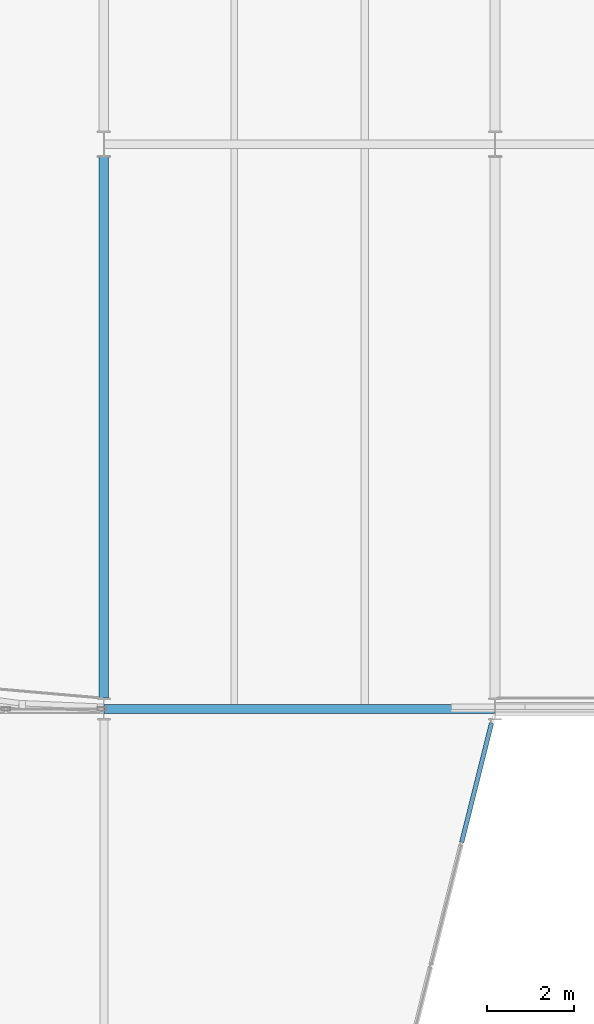
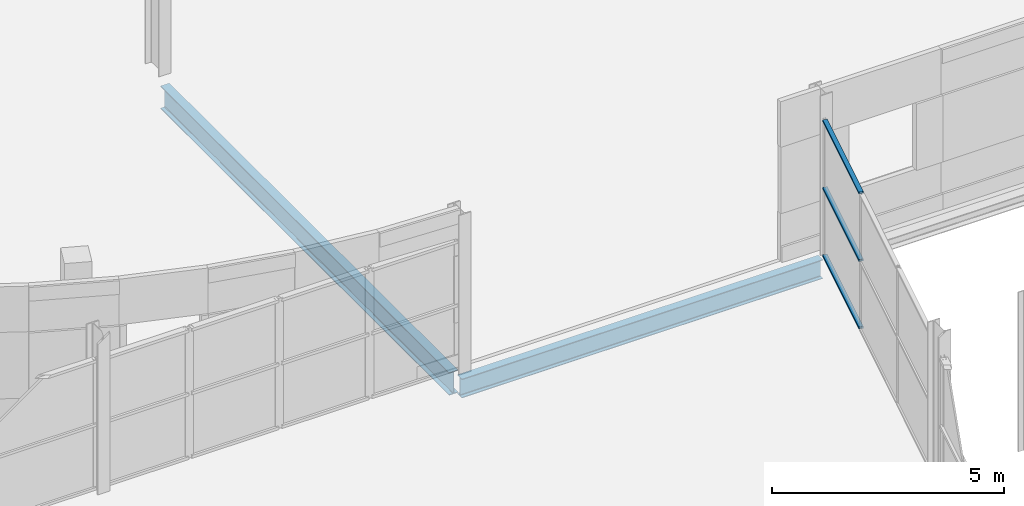
# One storey, part 69 of 135: 3 members, 2 beams, 1 element without a shape of its own.
"""IFC4 building model written with IfcOpenShell, lengths in metres."""

from ifc_helpers import new_model, si_unit, direction, frame, origin, origin_2d, place, context, subcontext, project, spatial, hollow_rectangle, i_section, extrude, material, layer, layer_set, material_profile, profile_set, type_object, element, aggregate, save


model = new_model("IFC4")

# Units and contexts
model_context = context("Model", 3, precision=1e-05, world=origin(), true_north=direction((0.0, 1.0)))
body_context = subcontext(model_context, "Body", "Model", "MODEL_VIEW")
ifc_project = project(units=[si_unit("LENGTHUNIT", "METRE"), si_unit("AREAUNIT", "SQUARE_METRE"), si_unit("VOLUMEUNIT", "CUBIC_METRE"), si_unit("PLANEANGLEUNIT", "RADIAN"), si_unit("MASSUNIT", "GRAM", prefix="KILO")], contexts=[model_context])

# Site, building, storey
site_placement = place(None, origin())
site = spatial("IfcSite", under=ifc_project, at=site_placement, CompositionType="ELEMENT")
building_placement = place(site_placement, origin())
building = spatial("IfcBuilding", under=site, at=building_placement, Name="Deido Ridge Mobility Hub", CompositionType="ELEMENT")
storey_placement = place(building_placement, frame((0.0, 0.0, 4.199951171875)))
storey = spatial("IfcBuildingStorey", under=building, at=storey_placement, Name="L01", CompositionType="ELEMENT", Elevation=4.199951171875)

# Beams
ifc_material_1 = material(Name="Steel S355J2 EN 10025-2", Category="steel")
ifc_material_profile_1 = material_profile(ifc_material_1, i_section(OverallWidth=0.199951171875, OverallDepth=0.5, WebThickness=0.01025390625, FlangeThickness=0.01611328125, FilletRadius=0.02099609375, at=origin_2d()), Name="IPE 500")
ifc_profile_set_1 = profile_set([ifc_material_profile_1], Name="Steel S355J2 EN 10025-2")
beam_type_1 = type_object("IfcBeamType", Name="BM-IPE500", PredefinedType="BEAM", material=ifc_profile_set_1)
beam_1_placement = place(storey_placement, frame((45.007080078125, 81.0, -0.5), z_axis=(1.0, 0.0, 0.0), x_axis=(0.0, 1.0, 0.0)))
element("IfcBeam", 1, at=beam_1_placement, inside=storey, type_object=beam_type_1, Name="Floor beam B3", PredefinedType="BEAM", context=body_context, shape_type="SweptSolid", body=[
    extrude(i_section(OverallWidth=0.199951171875, OverallDepth=0.5, WebThickness=0.01025390625, FlangeThickness=0.01611328125, FilletRadius=0.02099609375, at=origin_2d()), origin(), (0.0, 0.0, 1.0), 8.98583984375),
])
ifc_material_profile_2 = material_profile(ifc_material_1, i_section(OverallWidth=0.219970703125, OverallDepth=0.60009765625, WebThickness=0.011962890625, FlangeThickness=0.01904296875, FilletRadius=0.02392578125, at=origin_2d()), Name="IPE 600")
ifc_profile_set_2 = profile_set([ifc_material_profile_2], Name="Steel S355J2 EN 10025-2")
beam_type_2 = type_object("IfcBeamType", Name="BM-IPE600", PredefinedType="BEAM", material=ifc_profile_set_2)
beam_2_placement = place(storey_placement, frame((45.0, 81.25, -0.550048828125), z_axis=(0.0, 1.0, 0.0), x_axis=(-1.0, 0.0, 0.0)))
element("IfcBeam", 2, at=beam_2_placement, inside=storey, type_object=beam_type_2, Name="Floor beam B1", PredefinedType="BEAM", context=body_context, shape_type="SweptSolid", body=[
    extrude(i_section(OverallWidth=0.219970703125, OverallDepth=0.60009765625, WebThickness=0.011962890625, FlangeThickness=0.01904296875, FilletRadius=0.02392578125, at=origin_2d()), origin(), (0.0, 0.0, 1.0), 12.449951171875),
])

# Curtain wall, members
ifc_material_2 = material(Name="Anodised aluminium EN AW-6063 T6", Category="aluminium")
ifc_layer = layer(ifc_material_2, 0.27001953125, Name="Anodised aluminium EN AW-6063 T6")
ifc_layer_set = layer_set([ifc_layer], Name="Anodised aluminium EN AW-6063 T6")
curtain_wall_type = type_object("IfcCurtainWallType", Name="CW-UF-8", PredefinedType="USERDEFINED", material=ifc_layer_set)
curtain_wall_placement = place(storey_placement, origin())
curtain_wall = element("IfcCurtainWall", 3, at=curtain_wall_placement, inside=storey, type_object=curtain_wall_type, Name="Unitised curtain wall CW8", ObjectType="UNITISED FACADE", PredefinedType="USERDEFINED")
ifc_material_profile_3 = material_profile(ifc_material_2, hollow_rectangle(XDim=0.10498046875, YDim=0.050048828125, WallThickness=0.00390625, at=origin_2d()), Name="RHS 105x50x4")
ifc_profile_set_3 = profile_set([ifc_material_profile_3], Name="Anodised aluminium EN AW-6063 T6")
member_type = type_object("IfcMemberType", Name="MEM-TRN-105X50", PredefinedType="USERDEFINED", material=ifc_profile_set_3)
member_1_placement = place(storey_placement, frame((53.233642578125, 77.93408203125, 0.025146484375), z_axis=(0.242474757328, 0.970157715044, 0.0), x_axis=(-0.970157715044, 0.242474757328, 0.0)))
member_1 = element("IfcMember", 4, at=member_1_placement, type_object=member_type, Name="CW8 transom 3.1", ObjectType="TRANSOM", PredefinedType="USERDEFINED", context=body_context, shape_type="SweptSolid", body=[
    extrude(hollow_rectangle(XDim=0.10498046875, YDim=0.050048828125, WallThickness=0.00390625, at=origin_2d()), origin(), (0.0, 0.0, 1.0), 2.831298828125),
])
member_2_placement = place(storey_placement, frame((53.233642578125, 77.93408203125, 1.800048828125), z_axis=(0.242474757328, 0.970157715044, 0.0), x_axis=(-0.970157715044, 0.242474757328, 0.0)))
member_2 = element("IfcMember", 5, at=member_2_placement, type_object=member_type, Name="CW8 transom 3.2", ObjectType="TRANSOM", PredefinedType="USERDEFINED", context=body_context, shape_type="SweptSolid", body=[
    extrude(hollow_rectangle(XDim=0.10498046875, YDim=0.050048828125, WallThickness=0.00390625, at=origin_2d()), origin(), (0.0, 0.0, 1.0), 2.831298828125),
])
member_3_placement = place(storey_placement, frame((53.233642578125, 77.93408203125, 3.574951171875), z_axis=(0.242474757328, 0.970157715044, 0.0), x_axis=(-0.970157715044, 0.242474757328, 0.0)))
member_3 = element("IfcMember", 6, at=member_3_placement, type_object=member_type, Name="CW8 transom 3.3", ObjectType="TRANSOM", PredefinedType="USERDEFINED", context=body_context, shape_type="SweptSolid", body=[
    extrude(hollow_rectangle(XDim=0.10498046875, YDim=0.050048828125, WallThickness=0.00390625, at=origin_2d()), origin(), (0.0, 0.0, 1.0), 2.831298828125),
])
aggregate(curtain_wall, [member_1, member_2, member_3])

save(model, "model.ifc")
